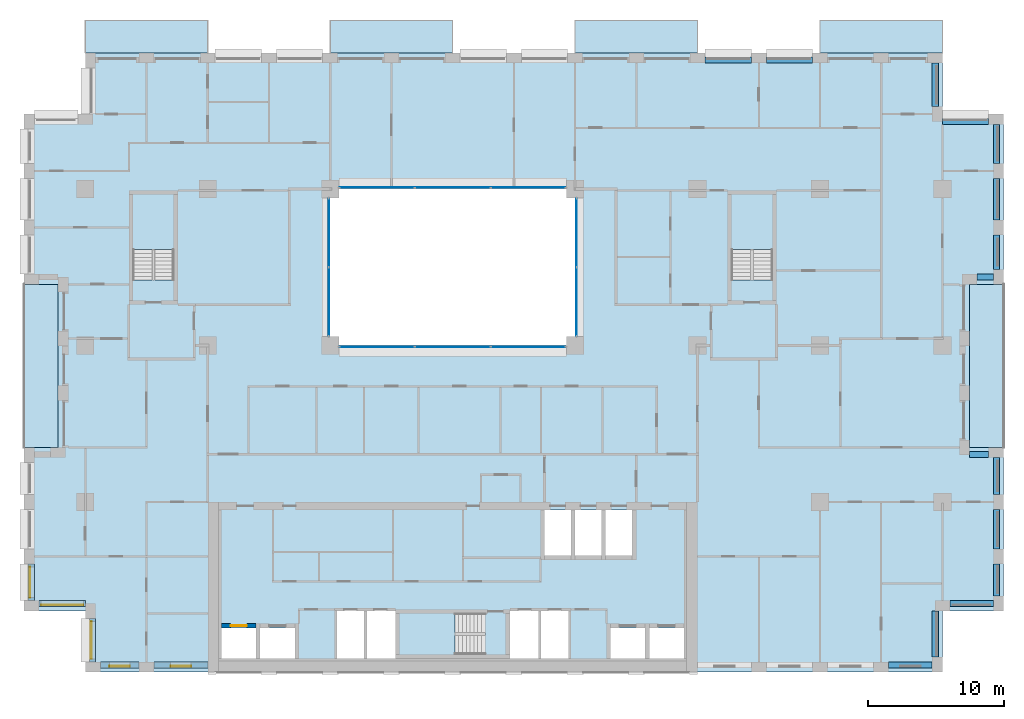
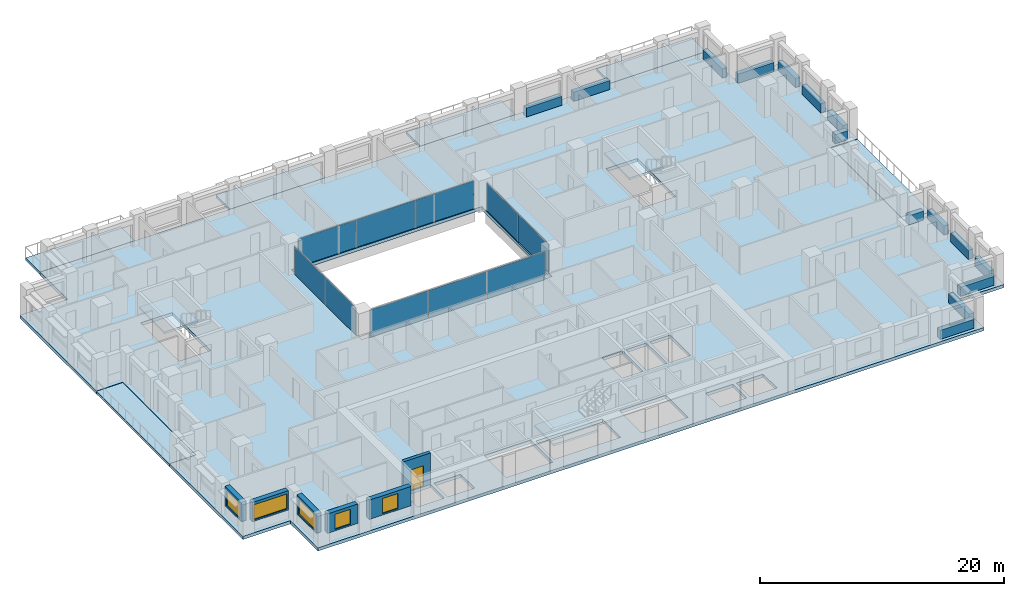
# One storey, part 7 of 17: 15 beams, 10 plates, 10 slabs, 6 walls, 5 windows, 1 door, 6 openings, 7 elements without a shape of their own.
"""IFC4 building model written with IfcOpenShell, lengths in metres."""

from ifc_helpers import new_model, si_unit, direction, frame, frame_2d, origin, origin_2d, place, context, subcontext, project, spatial, polyline, rectangle, outline, extrude, material, layer, layer_set, material_profile, profile_set, type_object, element, fill, aggregate, save


model = new_model("IFC4")

# Units and contexts
model_context = context("Model", 3, precision=1e-05, world=origin(), true_north=direction((0.0, 1.0)))
body_context = subcontext(model_context, "Body", "Model", "MODEL_VIEW")
ifc_project = project(units=[si_unit("LENGTHUNIT", "METRE"), si_unit("AREAUNIT", "SQUARE_METRE"), si_unit("VOLUMEUNIT", "CUBIC_METRE"), si_unit("PLANEANGLEUNIT", "RADIAN"), si_unit("MASSUNIT", "GRAM", prefix="KILO")], contexts=[model_context])

# Site, building, storey
site_placement = place(None, origin())
site = spatial("IfcSite", under=ifc_project, at=site_placement, CompositionType="ELEMENT")
building_placement = place(site_placement, origin())
building = spatial("IfcBuilding", under=site, at=building_placement, Name="Brigalow Station Residences", CompositionType="ELEMENT")
storey_placement = place(building_placement, frame((0.0, 0.0, 96.14990234375)))
storey = spatial("IfcBuildingStorey", under=building, at=storey_placement, Name="L27", CompositionType="ELEMENT", Elevation=96.14990234375)

# Beams
ifc_material_1 = material(Name="Concrete C65", Category="concrete")
ifc_material_profile = material_profile(ifc_material_1, rectangle(XDim=0.449951171875, YDim=0.89990234375, at=origin_2d()), Name="RC450x900")
ifc_profile_set = profile_set([ifc_material_profile], Name="Concrete C65")
beam_type = type_object("IfcBeamType", Name="SPANDREL BEAM 450x900 C65", PredefinedType="SPANDREL", material=ifc_profile_set)
beam_1_placement = place(storey_placement, frame((68.050048828125, 0.52490234375, 0.4501953125), z_axis=(1.0, 0.0, 0.0), x_axis=(0.0, 1.0, 0.0)))
element("IfcBeam", 1, at=beam_1_placement, inside=storey, type_object=beam_type, Name="L27/spandrel/W-L27-7", PredefinedType="SPANDREL", context=body_context, shape_type="SweptSolid", body=[
    extrude(rectangle(XDim=0.449951171875, YDim=0.89990234375, at=origin_2d()), origin(), (0.0, 0.0, 1.0), 3.199951171875),
])
beam_2_placement = place(storey_placement, frame((71.47509765625, 1.10009765625, 0.4501953125), z_axis=(0.0, 1.0, 0.0), x_axis=(-1.0, 0.0, 0.0)))
element("IfcBeam", 2, at=beam_2_placement, inside=storey, type_object=beam_type, Name="L27/spandrel/W-L27-8", PredefinedType="SPANDREL", context=body_context, shape_type="SweptSolid", body=[
    extrude(rectangle(XDim=0.449951171875, YDim=0.89990234375, at=origin_2d()), origin(), (0.0, 0.0, 1.0), 3.39990234375),
])
beam_3_placement = place(storey_placement, frame((72.550048828125, 5.02490234375, 0.4501953125), z_axis=(1.0, 0.0, 0.0), x_axis=(0.0, 1.0, 0.0)))
element("IfcBeam", 3, at=beam_3_placement, inside=storey, type_object=beam_type, Name="L27/spandrel/W-L27-9", PredefinedType="SPANDREL", context=body_context, shape_type="SweptSolid", body=[
    extrude(rectangle(XDim=0.449951171875, YDim=0.89990234375, at=origin_2d()), origin(), (0.0, 0.0, 1.0), 3.199951171875),
])
beam_4_placement = place(storey_placement, frame((75.97509765625, 5.60009765625, 0.4501953125), z_axis=(0.0, 1.0, 0.0), x_axis=(-1.0, 0.0, 0.0)))
element("IfcBeam", 4, at=beam_4_placement, inside=storey, type_object=beam_type, Name="L27/spandrel/W-L27-10", PredefinedType="SPANDREL", context=body_context, shape_type="SweptSolid", body=[
    extrude(rectangle(XDim=0.449951171875, YDim=0.89990234375, at=origin_2d()), origin(), (0.0, 0.0, 1.0), 2.349853515625),
])
beam_5_placement = place(storey_placement, frame((75.97509765625, 9.050048828125, 0.4501953125), z_axis=(0.0, 1.0, 0.0), x_axis=(-1.0, 0.0, 0.0)))
element("IfcBeam", 5, at=beam_5_placement, inside=storey, type_object=beam_type, Name="L27/spandrel/W-L27-11", PredefinedType="SPANDREL", context=body_context, shape_type="SweptSolid", body=[
    extrude(rectangle(XDim=0.449951171875, YDim=0.89990234375, at=origin_2d()), origin(), (0.0, 0.0, 1.0), 2.89990234375),
])
beam_6_placement = place(storey_placement, frame((75.97509765625, 13.050048828125, 0.4501953125), z_axis=(0.0, 1.0, 0.0), x_axis=(-1.0, 0.0, 0.0)))
element("IfcBeam", 6, at=beam_6_placement, inside=storey, type_object=beam_type, Name="L27/spandrel/W-L27-12", PredefinedType="SPANDREL", context=body_context, shape_type="SweptSolid", body=[
    extrude(rectangle(XDim=0.449951171875, YDim=0.89990234375, at=origin_2d()), origin(), (0.0, 0.0, 1.0), 2.699951171875),
])
beam_7_placement = place(storey_placement, frame((75.39990234375, 15.97509765625, 0.4501953125), z_axis=(-1.0, 0.0, 0.0), x_axis=(0.0, -1.0, 0.0)))
element("IfcBeam", 7, at=beam_7_placement, inside=storey, type_object=beam_type, Name="L27/spandrel/W-L27-13", PredefinedType="SPANDREL", context=body_context, shape_type="SweptSolid", body=[
    extrude(rectangle(XDim=0.449951171875, YDim=0.89990234375, at=origin_2d()), origin(), (0.0, 0.0, 1.0), 1.39990234375),
])
beam_8_placement = place(storey_placement, frame((74.550048828125, 29.02490234375, 0.4501953125), z_axis=(1.0, 0.0, 0.0), x_axis=(0.0, 1.0, 0.0)))
element("IfcBeam", 8, at=beam_8_placement, inside=storey, type_object=beam_type, Name="L27/spandrel/W-L27-17", PredefinedType="SPANDREL", context=body_context, shape_type="SweptSolid", body=[
    extrude(rectangle(XDim=0.449951171875, YDim=0.89990234375, at=origin_2d()), origin(), (0.0, 0.0, 1.0), 1.199951171875),
])
beam_9_placement = place(storey_placement, frame((75.97509765625, 29.60009765625, 0.4501953125), z_axis=(0.0, 1.0, 0.0), x_axis=(-1.0, 0.0, 0.0)))
element("IfcBeam", 9, at=beam_9_placement, inside=storey, type_object=beam_type, Name="L27/spandrel/W-L27-18", PredefinedType="SPANDREL", context=body_context, shape_type="SweptSolid", body=[
    extrude(rectangle(XDim=0.449951171875, YDim=0.89990234375, at=origin_2d()), origin(), (0.0, 0.0, 1.0), 2.516845703125),
])
beam_10_placement = place(storey_placement, frame((75.97509765625, 33.217041015625, 0.4501953125), z_axis=(0.0, 1.0, 0.0), x_axis=(-1.0, 0.0, 0.0)))
element("IfcBeam", 10, at=beam_10_placement, inside=storey, type_object=beam_type, Name="L27/spandrel/W-L27-19", PredefinedType="SPANDREL", context=body_context, shape_type="SweptSolid", body=[
    extrude(rectangle(XDim=0.449951171875, YDim=0.89990234375, at=origin_2d()), origin(), (0.0, 0.0, 1.0), 3.06591796875),
])
beam_11_placement = place(storey_placement, frame((75.97509765625, 37.383056640625, 0.4501953125), z_axis=(0.0, 1.0, 0.0), x_axis=(-1.0, 0.0, 0.0)))
element("IfcBeam", 11, at=beam_11_placement, inside=storey, type_object=beam_type, Name="L27/spandrel/W-L27-20", PredefinedType="SPANDREL", context=body_context, shape_type="SweptSolid", body=[
    extrude(rectangle(XDim=0.449951171875, YDim=0.89990234375, at=origin_2d()), origin(), (0.0, 0.0, 1.0), 2.866943359375),
])
beam_12_placement = place(storey_placement, frame((75.39990234375, 40.47509765625, 0.4501953125), z_axis=(-1.0, 0.0, 0.0), x_axis=(0.0, -1.0, 0.0)))
element("IfcBeam", 12, at=beam_12_placement, inside=storey, type_object=beam_type, Name="L27/spandrel/W-L27-21", PredefinedType="SPANDREL", context=body_context, shape_type="SweptSolid", body=[
    extrude(rectangle(XDim=0.449951171875, YDim=0.89990234375, at=origin_2d()), origin(), (0.0, 0.0, 1.0), 3.39990234375),
])
beam_13_placement = place(storey_placement, frame((71.47509765625, 41.550048828125, 0.4501953125), z_axis=(0.0, 1.0, 0.0), x_axis=(-1.0, 0.0, 0.0)))
element("IfcBeam", 13, at=beam_13_placement, inside=storey, type_object=beam_type, Name="L27/spandrel/W-L27-22", PredefinedType="SPANDREL", context=body_context, shape_type="SweptSolid", body=[
    extrude(rectangle(XDim=0.449951171875, YDim=0.89990234375, at=origin_2d()), origin(), (0.0, 0.0, 1.0), 3.199951171875),
])
for number, where, z_axis, x_axis, name in (
    (14, (62.449951171875, 44.97509765625, 0.4501953125), (-1.0, 0.0, 0.0), (0.0, -1.0, 0.0), "L27/spandrel/W-L27-25"),
    (15, (57.949951171875, 44.97509765625, 0.4501953125), (-1.0, 0.0, 0.0), (0.0, -1.0, 0.0), "L27/spandrel/W-L27-26"),
):
    element("IfcBeam", number, at=place(storey_placement, frame(where, z_axis=z_axis, x_axis=x_axis)), inside=storey, type_object=beam_type, Name=name, PredefinedType="SPANDREL", context=body_context, shape_type="SweptSolid", body=[
        extrude(rectangle(XDim=0.449951171875, YDim=0.89990234375, at=origin_2d()), origin(), (0.0, 0.0, 1.0), 3.39990234375),
    ])

# Curtain wall, plates
ifc_material_2 = material(Name="Aluminium", Category="aluminium")
ifc_layer_1 = layer(ifc_material_2, 0.14990234375)
ifc_layer_set_1 = layer_set([ifc_layer_1], Name="ATRIUM FIRE-RATED GLAZING CURTAIN WALL")
curtain_wall_type = type_object("IfcCurtainWallType", Name="ATRIUM FIRE-RATED GLAZING CURTAIN WALL", PredefinedType="NOTDEFINED", material=ifc_layer_set_1)
curtain_wall_1_placement = place(storey_placement, origin())
curtain_wall_1 = element("IfcCurtainWall", 16, at=curtain_wall_1_placement, inside=storey, type_object=curtain_wall_type, Name="L27/cw/atrium-S", PredefinedType="NOTDEFINED")
ifc_material_3 = material(Name="Fire-resisting laminated glazing, FRL -/60/-", Category="glass")
ifc_layer_2 = layer(ifc_material_3, 0.031982421875)
ifc_layer_set_2 = layer_set([ifc_layer_2], Name="ATRIUM FIRE-RATED GLAZING PANEL 32")
plate_type = type_object("IfcPlateType", Name="ATRIUM FIRE-RATED GLAZING PANEL 32", PredefinedType="CURTAIN_PANEL", material=ifc_layer_set_2)
plate_1_placement = place(storey_placement, frame((30.4482421875, 23.89990234375, 0.0), z_axis=(0.0, 0.0, 1.0), x_axis=(1.0, 0.0, 0.0)))
plate_1 = element("IfcPlate", 17, at=plate_1_placement, type_object=plate_type, Name="L27/cw/atrium-S/P00-00", PredefinedType="CURTAIN_PANEL", context=body_context, shape_type="SweptSolid", body=[
    extrude(rectangle(XDim=5.476806640625, YDim=0.031982421875, at=origin_2d()), origin(), (0.0, 0.0, 1.0), 2.77001953125),
])
plate_2_placement = place(storey_placement, frame((36.0, 23.89990234375, 0.0), z_axis=(0.0, 0.0, 1.0), x_axis=(1.0, 0.0, 0.0)))
plate_2 = element("IfcPlate", 18, at=plate_2_placement, type_object=plate_type, Name="L27/cw/atrium-S/P01-00", PredefinedType="CURTAIN_PANEL", context=body_context, shape_type="SweptSolid", body=[
    extrude(rectangle(XDim=5.506591796875, YDim=0.031982421875, at=origin_2d()), origin(), (0.0, 0.0, 1.0), 2.77001953125),
])
plate_3_placement = place(storey_placement, frame((41.5517578125, 23.89990234375, 0.0), z_axis=(0.0, 0.0, 1.0), x_axis=(1.0, 0.0, 0.0)))
plate_3 = element("IfcPlate", 19, at=plate_3_placement, type_object=plate_type, Name="L27/cw/atrium-S/P02-00", PredefinedType="CURTAIN_PANEL", context=body_context, shape_type="SweptSolid", body=[
    extrude(rectangle(XDim=5.476806640625, YDim=0.031982421875, at=origin_2d()), origin(), (0.0, 0.0, 1.0), 2.77001953125),
])
aggregate(curtain_wall_1, [plate_1, plate_2, plate_3])

curtain_wall_2_placement = place(storey_placement, origin())
curtain_wall_2 = element("IfcCurtainWall", 20, at=curtain_wall_2_placement, inside=storey, type_object=curtain_wall_type, Name="L27/cw/atrium-E", PredefinedType="NOTDEFINED")
plate_4_placement = place(storey_placement, frame((45.10009765625, 27.215087890625, 0.0), z_axis=(0.0, 0.0, 1.0), x_axis=(0.0, 1.0, 0.0)))
plate_4 = element("IfcPlate", 21, at=plate_4_placement, type_object=plate_type, Name="L27/cw/atrium-E/P00-00", PredefinedType="CURTAIN_PANEL", context=body_context, shape_type="SweptSolid", body=[
    extrude(rectangle(XDim=5.010009765625, YDim=0.031982421875, at=origin_2d()), origin(), (0.0, 0.0, 1.0), 2.77001953125),
])
plate_5_placement = place(storey_placement, frame((45.10009765625, 32.284912109375, 0.0), z_axis=(0.0, 0.0, 1.0), x_axis=(0.0, 1.0, 0.0)))
plate_5 = element("IfcPlate", 22, at=plate_5_placement, type_object=plate_type, Name="L27/cw/atrium-E/P01-00", PredefinedType="CURTAIN_PANEL", context=body_context, shape_type="SweptSolid", body=[
    extrude(rectangle(XDim=5.010009765625, YDim=0.031982421875, at=origin_2d()), origin(), (0.0, 0.0, 1.0), 2.77001953125),
])
aggregate(curtain_wall_2, [plate_4, plate_5])

curtain_wall_3_placement = place(storey_placement, origin())
curtain_wall_3 = element("IfcCurtainWall", 23, at=curtain_wall_3_placement, inside=storey, type_object=curtain_wall_type, Name="L27/cw/atrium-N", PredefinedType="NOTDEFINED")
plate_6_placement = place(storey_placement, frame((41.5517578125, 35.60009765625, 0.0), z_axis=(0.0, 0.0, 1.0), x_axis=(-1.0, 0.0, 0.0)))
plate_6 = element("IfcPlate", 24, at=plate_6_placement, type_object=plate_type, Name="L27/cw/atrium-N/P00-00", PredefinedType="CURTAIN_PANEL", context=body_context, shape_type="SweptSolid", body=[
    extrude(rectangle(XDim=5.476806640625, YDim=0.031982421875, at=origin_2d()), origin(), (0.0, 0.0, 1.0), 2.77001953125),
])
plate_7_placement = place(storey_placement, frame((36.0, 35.60009765625, 0.0), z_axis=(0.0, 0.0, 1.0), x_axis=(-1.0, 0.0, 0.0)))
plate_7 = element("IfcPlate", 25, at=plate_7_placement, type_object=plate_type, Name="L27/cw/atrium-N/P01-00", PredefinedType="CURTAIN_PANEL", context=body_context, shape_type="SweptSolid", body=[
    extrude(rectangle(XDim=5.506591796875, YDim=0.031982421875, at=origin_2d()), origin(), (0.0, 0.0, 1.0), 2.77001953125),
])
plate_8_placement = place(storey_placement, frame((30.4482421875, 35.60009765625, 0.0), z_axis=(0.0, 0.0, 1.0), x_axis=(-1.0, 0.0, 0.0)))
plate_8 = element("IfcPlate", 26, at=plate_8_placement, type_object=plate_type, Name="L27/cw/atrium-N/P02-00", PredefinedType="CURTAIN_PANEL", context=body_context, shape_type="SweptSolid", body=[
    extrude(rectangle(XDim=5.476806640625, YDim=0.031982421875, at=origin_2d()), origin(), (0.0, 0.0, 1.0), 2.77001953125),
])
aggregate(curtain_wall_3, [plate_6, plate_7, plate_8])

curtain_wall_4_placement = place(storey_placement, origin())
curtain_wall_4 = element("IfcCurtainWall", 27, at=curtain_wall_4_placement, inside=storey, type_object=curtain_wall_type, Name="L27/cw/atrium-W", PredefinedType="NOTDEFINED")
plate_9_placement = place(storey_placement, frame((26.89990234375, 32.284912109375, 0.0), z_axis=(0.0, 0.0, 1.0), x_axis=(0.0, -1.0, 0.0)))
plate_9 = element("IfcPlate", 28, at=plate_9_placement, type_object=plate_type, Name="L27/cw/atrium-W/P00-00", PredefinedType="CURTAIN_PANEL", context=body_context, shape_type="SweptSolid", body=[
    extrude(rectangle(XDim=5.010009765625, YDim=0.031982421875, at=origin_2d()), origin(), (0.0, 0.0, 1.0), 2.77001953125),
])
plate_10_placement = place(storey_placement, frame((26.89990234375, 27.215087890625, 0.0), z_axis=(0.0, 0.0, 1.0), x_axis=(0.0, -1.0, 0.0)))
plate_10 = element("IfcPlate", 29, at=plate_10_placement, type_object=plate_type, Name="L27/cw/atrium-W/P01-00", PredefinedType="CURTAIN_PANEL", context=body_context, shape_type="SweptSolid", body=[
    extrude(rectangle(XDim=5.010009765625, YDim=0.031982421875, at=origin_2d()), origin(), (0.0, 0.0, 1.0), 2.77001953125),
])
aggregate(curtain_wall_4, [plate_9, plate_10])

# Slabs
ifc_material_4 = material(Name="Concrete C50 precast", Category="concrete")
ifc_layer_3 = layer(ifc_material_4, 0.25)
ifc_layer_set_3 = layer_set([ifc_layer_3], Name="BALCONY SLAB 250")
slab_type_1 = type_object("IfcSlabType", Name="BALCONY SLAB 250", PredefinedType="USERDEFINED", material=ifc_layer_set_3)
slab_1_placement = place(storey_placement, frame((0.0, 0.0, -0.289794921875)))
element("IfcSlab", 30, at=slab_1_placement, inside=storey, type_object=slab_type_1, Name="L27/balcony/1", ObjectType="BALCONY", PredefinedType="USERDEFINED", context=body_context, shape_type="SweptSolid", body=[
    extrude(outline(polyline([(74.0, 16.5), (76.5, 16.5), (76.5, 28.5), (74.0, 28.5), (74.0, 16.5)])), origin(), (0.0, 0.0, 1.0), 0.25),
])
slab_2_placement = place(storey_placement, frame((0.0, 0.0, -0.289794921875)))
element("IfcSlab", 31, at=slab_2_placement, inside=storey, type_object=slab_type_1, Name="L27/balcony/2", ObjectType="BALCONY", PredefinedType="USERDEFINED", context=body_context, shape_type="SweptSolid", body=[
    extrude(outline(polyline([(72.0, 45.5), (72.0, 47.89990234375), (63.0, 47.89990234375), (63.0, 45.5), (72.0, 45.5)])), origin(), (0.0, 0.0, 1.0), 0.25),
])
slab_3_placement = place(storey_placement, frame((0.0, 0.0, -0.289794921875)))
element("IfcSlab", 32, at=slab_3_placement, inside=storey, type_object=slab_type_1, Name="L27/balcony/3", ObjectType="BALCONY", PredefinedType="USERDEFINED", context=body_context, shape_type="SweptSolid", body=[
    extrude(outline(polyline([(54.0, 45.5), (54.0, 47.89990234375), (45.0, 47.89990234375), (45.0, 45.5), (54.0, 45.5)])), origin(), (0.0, 0.0, 1.0), 0.25),
])
slab_4_placement = place(storey_placement, frame((0.0, 0.0, -0.289794921875)))
element("IfcSlab", 33, at=slab_4_placement, inside=storey, type_object=slab_type_1, Name="L27/balcony/4", ObjectType="BALCONY", PredefinedType="USERDEFINED", context=body_context, shape_type="SweptSolid", body=[
    extrude(outline(polyline([(36.0, 45.5), (36.0, 47.89990234375), (27.0, 47.89990234375), (27.0, 45.5), (36.0, 45.5)])), origin(), (0.0, 0.0, 1.0), 0.25),
])
slab_5_placement = place(storey_placement, frame((0.0, 0.0, -0.289794921875)))
element("IfcSlab", 34, at=slab_5_placement, inside=storey, type_object=slab_type_1, Name="L27/balcony/5", ObjectType="BALCONY", PredefinedType="USERDEFINED", context=body_context, shape_type="SweptSolid", body=[
    extrude(outline(polyline([(18.0, 45.5), (18.0, 47.89990234375), (9.0, 47.89990234375), (9.0, 45.5), (18.0, 45.5)])), origin(), (0.0, 0.0, 1.0), 0.25),
])
slab_6_placement = place(storey_placement, frame((0.0, 0.0, -0.289794921875)))
element("IfcSlab", 35, at=slab_6_placement, inside=storey, type_object=slab_type_1, Name="L27/balcony/6", ObjectType="BALCONY", PredefinedType="USERDEFINED", context=body_context, shape_type="SweptSolid", body=[
    extrude(outline(polyline([(7.0, 28.5), (4.5, 28.5), (4.5, 16.5), (7.0, 16.5), (7.0, 28.5)])), origin(), (0.0, 0.0, 1.0), 0.25),
])
ifc_material_5 = material(Name="Concrete C50", Category="concrete")
ifc_layer_4 = layer(ifc_material_5, 0.320068359375)
ifc_layer_set_4 = layer_set([ifc_layer_4], Name="POST-TENSIONED FLAT PLATE 320 C50")
slab_type_2 = type_object("IfcSlabType", Name="POST-TENSIONED FLAT PLATE 320 C50", PredefinedType="FLOOR", material=ifc_layer_set_4)
slab_7_placement = place(storey_placement, frame((0.0, 0.0, -0.31982421875)))
element("IfcSlab", 36, at=slab_7_placement, inside=storey, type_object=slab_type_2, Name="FLOOR SLAB L27", PredefinedType="FLOOR", context=body_context, shape_type="SweptSolid", body=[
    extrude(outline(polyline([(9.0, 0.0), (72.0, 0.0), (72.0, 4.5), (76.5, 4.5), (76.5, 16.5), (74.0, 16.5), (74.0, 28.5), (76.5, 28.5), (76.5, 41.0), (72.0, 41.0), (72.0, 45.5), (9.0, 45.5), (9.0, 41.0), (4.5, 41.0), (4.5, 28.5), (7.0, 28.5), (7.0, 16.5), (4.5, 16.5), (4.5, 4.5), (9.0, 4.5), (9.0, 0.0)]), holes=[polyline([(12.5048828125, 35.094970703125), (15.4951171875, 35.094970703125), (15.4951171875, 28.804931640625), (12.5048828125, 28.804931640625), (12.5048828125, 35.094970703125)]), polyline([(19.0, 1.0), (19.0, 3.25), (21.550048828125, 3.25), (21.550048828125, 1.0), (19.0, 1.0)]), polyline([(21.85009765625, 3.25), (24.39990234375, 3.25), (24.39990234375, 1.0), (21.85009765625, 1.0), (21.85009765625, 3.25)]), polyline([(27.0, 35.5), (45.0, 35.5), (45.0, 24.0), (27.0, 24.0), (27.0, 35.5)]), polyline([(29.60009765625, 4.60009765625), (31.800048828125, 4.60009765625), (31.800048828125, 1.0), (29.60009765625, 1.0), (27.39990234375, 1.0), (27.39990234375, 4.60009765625), (29.60009765625, 4.60009765625)]), polyline([(32.10498046875, 4.294921875), (38.39501953125, 4.294921875), (38.39501953125, 1.304931640625), (32.10498046875, 1.304931640625), (32.10498046875, 4.294921875)]), polyline([(40.199951171875, 4.60009765625), (42.39990234375, 4.60009765625), (44.60009765625, 4.60009765625), (44.60009765625, 1.0), (42.39990234375, 1.0), (40.199951171875, 1.0), (40.199951171875, 4.60009765625)]), polyline([(42.75, 11.89990234375), (44.699951171875, 11.89990234375), (44.699951171875, 8.550048828125), (42.75, 8.550048828125), (42.75, 11.89990234375)]), polyline([(45.0, 11.89990234375), (46.949951171875, 11.89990234375), (46.949951171875, 8.550048828125), (45.0, 8.550048828125), (45.0, 11.89990234375)]), polyline([(47.25, 11.89990234375), (49.199951171875, 11.89990234375), (49.199951171875, 8.550048828125), (47.25, 8.550048828125), (47.25, 11.89990234375)]), polyline([(47.60009765625, 3.25), (50.14990234375, 3.25), (50.14990234375, 1.0), (47.60009765625, 1.0), (47.60009765625, 3.25)]), polyline([(50.449951171875, 3.25), (53.0, 3.25), (53.0, 1.0), (50.449951171875, 1.0), (50.449951171875, 3.25)]), polyline([(56.5048828125, 35.094970703125), (59.4951171875, 35.094970703125), (59.4951171875, 28.804931640625), (56.5048828125, 28.804931640625), (56.5048828125, 35.094970703125)])]), origin(), (0.0, 0.0, 1.0), 0.31982421875),
])

# Stair, slab
ifc_material_6 = material(Name="Concrete C50", Category="concrete")
stair_type = type_object("IfcStairType", Name="EXIT STAIR 1400 2 FLIGHT", PredefinedType="HALF_TURN_STAIR", material=ifc_material_6)
stair_1_placement = place(storey_placement, origin())
stair_1 = element("IfcStair", 37, at=stair_1_placement, inside=storey, type_object=stair_type, Name="EXIT STAIR S2 L27", PredefinedType="HALF_TURN_STAIR")
ifc_material_7 = material(Name="Concrete C50", Category="concrete")
ifc_layer_5 = layer(ifc_material_7, 0.199951171875)
ifc_layer_set_5 = layer_set([ifc_layer_5], Name="STAIR LANDING 200")
slab_type_3 = type_object("IfcSlabType", Name="STAIR LANDING 200", PredefinedType="LANDING", material=ifc_layer_set_5)
slab_8_placement = place(storey_placement, frame((0.0, 0.0, 1.375)))
slab_8 = element("IfcSlab", 38, at=slab_8_placement, type_object=slab_type_3, Name="ST-2 landing 1", PredefinedType="LANDING", context=body_context, shape_type="SweptSolid", body=[
    extrude(outline(polyline([(32.0, 1.199951171875), (36.159912109375, 1.199951171875), (36.159912109375, 4.39990234375), (32.0, 4.39990234375), (32.0, 1.199951171875)])), origin(), (0.0, 0.0, 1.0), 0.2001953125),
])
aggregate(stair_1, [slab_8])

stair_2_placement = place(storey_placement, origin())
stair_2 = element("IfcStair", 39, at=stair_2_placement, inside=storey, type_object=stair_type, Name="EXIT STAIR S1 L27", PredefinedType="HALF_TURN_STAIR")
slab_9_placement = place(storey_placement, frame((0.0, 0.0, 1.375)))
slab_9 = element("IfcSlab", 40, at=slab_9_placement, type_object=slab_type_3, Name="ST-1 landing 1", PredefinedType="LANDING", context=body_context, shape_type="SweptSolid", body=[
    extrude(outline(polyline([(12.39990234375, 31.0400390625), (15.60009765625, 31.0400390625), (15.60009765625, 35.199951171875), (12.39990234375, 35.199951171875), (12.39990234375, 31.0400390625)])), origin(), (0.0, 0.0, 1.0), 0.2001953125),
])
aggregate(stair_2, [slab_9])

stair_3_placement = place(storey_placement, origin())
stair_3 = element("IfcStair", 41, at=stair_3_placement, inside=storey, type_object=stair_type, Name="EXIT STAIR S3 L27", PredefinedType="HALF_TURN_STAIR")
slab_10_placement = place(storey_placement, frame((0.0, 0.0, 1.375)))
slab_10 = element("IfcSlab", 42, at=slab_10_placement, type_object=slab_type_3, Name="ST-3 landing 1", PredefinedType="LANDING", context=body_context, shape_type="SweptSolid", body=[
    extrude(outline(polyline([(56.39990234375, 31.0400390625), (59.60009765625, 31.0400390625), (59.60009765625, 35.199951171875), (56.39990234375, 35.199951171875), (56.39990234375, 31.0400390625)])), origin(), (0.0, 0.0, 1.0), 0.2001953125),
])
aggregate(stair_3, [slab_10])

# Wall, opening, window
ifc_material_8 = material(Name="Clay brick masonry", Category="masonry")
ifc_layer_6 = layer(ifc_material_8, 0.449951171875)
ifc_layer_set_6 = layer_set([ifc_layer_6], Name="BRICK INFILL WALL 450")
wall_type_1 = type_object("IfcWallType", Name="BRICK INFILL WALL 450", PredefinedType="SOLIDWALL", material=ifc_layer_set_6)
wall_1_placement = place(storey_placement, frame((10.10009765625, 0.52490234375, 0.900146484375), z_axis=(0.0, 0.0, 1.0), x_axis=(1.0, 0.0, 0.0)))
wall_1 = element("IfcWall", 43, at=wall_1_placement, inside=storey, type_object=wall_type_1, Name="L27/ewall/W-L27-1", PredefinedType="SOLIDWALL", context=body_context, shape_type="SweptSolid", body=[
    extrude(rectangle(XDim=2.849853515625, YDim=0.449951171875, at=frame_2d((1.4248046875, 0.0))), origin(), (0.0, 0.0, 1.0), 1.929931640625),
])
opening_1_placement = place(wall_1_placement, frame((0.675048828125, 0.0, 0.14990234375)))
opening_1 = element("IfcOpeningElement", 44, at=opening_1_placement, cuts=wall_1, Name="Opening WT-1", PredefinedType="OPENING", context=body_context, shape_type="SweptSolid", body=[
    extrude(rectangle(XDim=1.5, YDim=1.5, at=frame_2d((0.75, 0.75))), frame((0.0, 0.23486328125, 0.0), z_axis=(0.0, -1.0, 0.0), x_axis=(1.0, 0.0, 0.0)), (0.0, 0.0, 1.0), 0.469970703125),
])
ifc_material_9 = material(Name="Anodised aluminium frame with double glazing", Category="aluminium")
window_type_1 = type_object("IfcWindowType", Name="WINDOW 1500x1500", PartitioningType="SINGLE_PANEL", PredefinedType="WINDOW", material=ifc_material_9)
window_1_placement = place(opening_1_placement, origin())
window_1 = element("IfcWindow", 45, at=window_1_placement, inside=storey, type_object=window_type_1, Name="L27/window/W-L27-1", OverallHeight=1.5, OverallWidth=1.5, PartitioningType="SINGLE_PANEL", PredefinedType="WINDOW", context=body_context, shape_type="SweptSolid", body=[
    extrude(rectangle(XDim=1.5, YDim=1.5, at=frame_2d((0.75, 0.75))), frame((0.0, -0.06494140625, 0.0), z_axis=(0.0, -1.0, 0.0), x_axis=(1.0, 0.0, 0.0)), (0.0, 0.0, 1.0), 0.06005859375),
])
fill(opening_1, window_1)

wall_2_placement = place(storey_placement, frame((14.050048828125, 0.52490234375, 0.900146484375), z_axis=(0.0, 0.0, 1.0), x_axis=(1.0, 0.0, 0.0)))
wall_2 = element("IfcWall", 46, at=wall_2_placement, inside=storey, type_object=wall_type_1, Name="L27/ewall/W-L27-2", PredefinedType="SOLIDWALL", context=body_context, shape_type="SweptSolid", body=[
    extrude(rectangle(XDim=3.949951171875, YDim=0.449951171875, at=frame_2d((1.97509765625, 0.0))), origin(), (0.0, 0.0, 1.0), 1.929931640625),
])
opening_2_placement = place(wall_2_placement, frame((1.22509765625, 0.0, 0.14990234375)))
opening_2 = element("IfcOpeningElement", 47, at=opening_2_placement, cuts=wall_2, Name="Opening WT-1", PredefinedType="OPENING", context=body_context, shape_type="SweptSolid", body=[
    extrude(rectangle(XDim=1.5, YDim=1.5, at=frame_2d((0.75, 0.75))), frame((0.0, 0.23486328125, 0.0), z_axis=(0.0, -1.0, 0.0), x_axis=(1.0, 0.0, 0.0)), (0.0, 0.0, 1.0), 0.469970703125),
])
window_2_placement = place(opening_2_placement, origin())
window_2 = element("IfcWindow", 48, at=window_2_placement, inside=storey, type_object=window_type_1, Name="L27/window/W-L27-2", OverallHeight=1.5, OverallWidth=1.5, PartitioningType="SINGLE_PANEL", PredefinedType="WINDOW", context=body_context, shape_type="SweptSolid", body=[
    extrude(rectangle(XDim=1.5, YDim=1.5, at=frame_2d((0.75, 0.75))), frame((0.0, -0.06494140625, 0.0), z_axis=(0.0, -1.0, 0.0), x_axis=(1.0, 0.0, 0.0)), (0.0, 0.0, 1.0), 0.06005859375),
])
fill(opening_2, window_2)

wall_3_placement = place(storey_placement, frame((5.02490234375, 7.949951171875, 0.900146484375), z_axis=(0.0, 0.0, 1.0), x_axis=(0.0, -1.0, 0.0)))
wall_3 = element("IfcWall", 49, at=wall_3_placement, inside=storey, type_object=wall_type_1, Name="L27/ewall/W-L27-49", PredefinedType="SOLIDWALL", context=body_context, shape_type="SweptSolid", body=[
    extrude(rectangle(XDim=2.699951171875, YDim=0.449951171875, at=frame_2d((1.35009765625, 0.0))), origin(), (0.0, 0.0, 1.0), 1.929931640625),
])
opening_3_placement = place(wall_3_placement, frame((0.22509765625, 0.0, 0.14990234375)))
opening_3 = element("IfcOpeningElement", 50, at=opening_3_placement, cuts=wall_3, Name="Opening WT-6", PredefinedType="OPENING", context=body_context, shape_type="SweptSolid", body=[
    extrude(rectangle(XDim=2.25, YDim=1.5, at=frame_2d((1.125, 0.75))), frame((0.0, 0.23486328125, 0.0), z_axis=(0.0, -1.0, 0.0), x_axis=(1.0, 0.0, 0.0)), (0.0, 0.0, 1.0), 0.469970703125),
])
ifc_material_10 = material(Name="Anodised aluminium frame with double glazing", Category="aluminium")
window_type_2 = type_object("IfcWindowType", Name="WINDOW 2250x1500", PartitioningType="SINGLE_PANEL", PredefinedType="WINDOW", material=ifc_material_10)
window_3_placement = place(opening_3_placement, origin())
window_3 = element("IfcWindow", 51, at=window_3_placement, inside=storey, type_object=window_type_2, Name="L27/window/W-L27-49", OverallHeight=1.5, OverallWidth=2.25, PartitioningType="SINGLE_PANEL", PredefinedType="WINDOW", context=body_context, shape_type="SweptSolid", body=[
    extrude(rectangle(XDim=2.25, YDim=1.5, at=frame_2d((1.125, 0.75))), frame((0.0, -0.06494140625, 0.0), z_axis=(0.0, -1.0, 0.0), x_axis=(1.0, 0.0, 0.0)), (0.0, 0.0, 1.0), 0.06005859375),
])
fill(opening_3, window_3)

wall_4_placement = place(storey_placement, frame((5.60009765625, 5.02490234375, 0.900146484375), z_axis=(0.0, 0.0, 1.0), x_axis=(1.0, 0.0, 0.0)))
wall_4 = element("IfcWall", 52, at=wall_4_placement, inside=storey, type_object=wall_type_1, Name="L27/ewall/W-L27-50", PredefinedType="SOLIDWALL", context=body_context, shape_type="SweptSolid", body=[
    extrude(rectangle(XDim=3.39990234375, YDim=0.449951171875, at=frame_2d((1.699951171875, 0.0))), origin(), (0.0, 0.0, 1.0), 1.929931640625),
])
opening_4_placement = place(wall_4_placement, frame((0.14990234375, 0.0, 0.14990234375)))
opening_4 = element("IfcOpeningElement", 53, at=opening_4_placement, cuts=wall_4, Name="Opening WT-8", PredefinedType="OPENING", context=body_context, shape_type="SweptSolid", body=[
    extrude(rectangle(XDim=3.10009765625, YDim=1.5, at=frame_2d((1.550048828125, 0.75))), frame((0.0, 0.23486328125, 0.0), z_axis=(0.0, -1.0, 0.0), x_axis=(1.0, 0.0, 0.0)), (0.0, 0.0, 1.0), 0.469970703125),
])
ifc_material_11 = material(Name="Anodised aluminium frame with double glazing", Category="aluminium")
window_type_3 = type_object("IfcWindowType", Name="WINDOW 3100x1500", PartitioningType="SINGLE_PANEL", PredefinedType="WINDOW", material=ifc_material_11)
window_4_placement = place(opening_4_placement, origin())
window_4 = element("IfcWindow", 54, at=window_4_placement, inside=storey, type_object=window_type_3, Name="L27/window/W-L27-50", OverallHeight=1.5, OverallWidth=3.10009765625, PartitioningType="SINGLE_PANEL", PredefinedType="WINDOW", context=body_context, shape_type="SweptSolid", body=[
    extrude(rectangle(XDim=3.10009765625, YDim=1.5, at=frame_2d((1.550048828125, 0.75))), frame((0.0, -0.06494140625, 0.0), z_axis=(0.0, -1.0, 0.0), x_axis=(1.0, 0.0, 0.0)), (0.0, 0.0, 1.0), 0.06005859375),
])
fill(opening_4, window_4)

wall_5_placement = place(storey_placement, frame((9.52490234375, 3.949951171875, 0.900146484375), z_axis=(0.0, 0.0, 1.0), x_axis=(0.0, -1.0, 0.0)))
wall_5 = element("IfcWall", 55, at=wall_5_placement, inside=storey, type_object=wall_type_1, Name="L27/ewall/W-L27-51", PredefinedType="SOLIDWALL", context=body_context, shape_type="SweptSolid", body=[
    extrude(rectangle(XDim=3.199951171875, YDim=0.449951171875, at=frame_2d((1.60009765625, 0.0))), origin(), (0.0, 0.0, 1.0), 1.929931640625),
])
opening_5_placement = place(wall_5_placement, frame((0.22509765625, 0.0, 0.14990234375)))
opening_5 = element("IfcOpeningElement", 56, at=opening_5_placement, cuts=wall_5, Name="Opening WT-3", PredefinedType="OPENING", context=body_context, shape_type="SweptSolid", body=[
    extrude(rectangle(XDim=2.75, YDim=1.5, at=frame_2d((1.375, 0.75))), frame((0.0, 0.23486328125, 0.0), z_axis=(0.0, -1.0, 0.0), x_axis=(1.0, 0.0, 0.0)), (0.0, 0.0, 1.0), 0.469970703125),
])
ifc_material_12 = material(Name="Anodised aluminium frame with double glazing", Category="aluminium")
window_type_4 = type_object("IfcWindowType", Name="WINDOW 2750x1500", PartitioningType="SINGLE_PANEL", PredefinedType="WINDOW", material=ifc_material_12)
window_5_placement = place(opening_5_placement, origin())
window_5 = element("IfcWindow", 57, at=window_5_placement, inside=storey, type_object=window_type_4, Name="L27/window/W-L27-51", OverallHeight=1.5, OverallWidth=2.75, PartitioningType="SINGLE_PANEL", PredefinedType="WINDOW", context=body_context, shape_type="SweptSolid", body=[
    extrude(rectangle(XDim=2.75, YDim=1.5, at=frame_2d((1.375, 0.75))), frame((0.0, -0.06494140625, 0.0), z_axis=(0.0, -1.0, 0.0), x_axis=(1.0, 0.0, 0.0)), (0.0, 0.0, 1.0), 0.06005859375),
])
fill(opening_5, window_5)

# Wall, opening, door
ifc_material_13 = material(Name="Concrete C65", Category="concrete")
ifc_layer_7 = layer(ifc_material_13, 0.300048828125)
ifc_layer_set_7 = layer_set([ifc_layer_7], Name="CORE SHEAR WALL 300 C65")
wall_type_2 = type_object("IfcWallType", Name="CORE SHEAR WALL 300 C65", PredefinedType="SHEAR", material=ifc_layer_set_7)
wall_6_placement = place(storey_placement, frame((19.0, 3.39990234375, 0.0), z_axis=(0.0, 0.0, 1.0), x_axis=(1.0, 0.0, 0.0)))
wall_6 = element("IfcWall", 58, at=wall_6_placement, inside=storey, type_object=wall_type_2, Name="CORE WALL SH-C1-N L27", PredefinedType="SHEAR", context=body_context, shape_type="SweptSolid", body=[
    extrude(rectangle(XDim=2.550048828125, YDim=0.300048828125, at=frame_2d((1.27490234375, 0.0))), origin(), (0.0, 0.0, 1.0), 3.150146484375),
])
opening_6_placement = place(wall_6_placement, frame((0.675048828125, 0.0, 0.0)))
opening_6 = element("IfcOpeningElement", 59, at=opening_6_placement, cuts=wall_6, Name="Opening LD-LB1", PredefinedType="OPENING", context=body_context, shape_type="SweptSolid", body=[
    extrude(rectangle(XDim=1.199951171875, YDim=2.10009765625, at=frame_2d((0.60009765625, 1.050048828125))), frame((0.0, 0.16015625, 0.0), z_axis=(0.0, -1.0, 0.0), x_axis=(1.0, 0.0, 0.0)), (0.0, 0.0, 1.0), 0.320068359375),
])
ifc_material_14 = material(Name="Stainless steel sliding door leaves", Category="steel")
door_type = type_object("IfcDoorType", Name="LIFT LANDING DOOR 1200 x 2100", OperationType="DOUBLE_DOOR_SLIDING", PredefinedType="DOOR", material=ifc_material_14)
door_placement = place(opening_6_placement, origin())
door = element("IfcDoor", 60, at=door_placement, inside=storey, type_object=door_type, Name="LANDING DOOR LB1", OperationType="DOUBLE_DOOR_SLIDING", OverallHeight=2.10009765625, OverallWidth=1.199951171875, PredefinedType="DOOR", context=body_context, shape_type="SweptSolid", body=[
    extrude(rectangle(XDim=1.199951171875, YDim=2.10009765625, at=frame_2d((0.60009765625, 1.050048828125))), frame((0.0, 0.02490234375, 0.0), z_axis=(0.0, -1.0, 0.0), x_axis=(1.0, 0.0, 0.0)), (0.0, 0.0, 1.0), 0.050048828125),
])
fill(opening_6, door)

save(model, "model.ifc")
